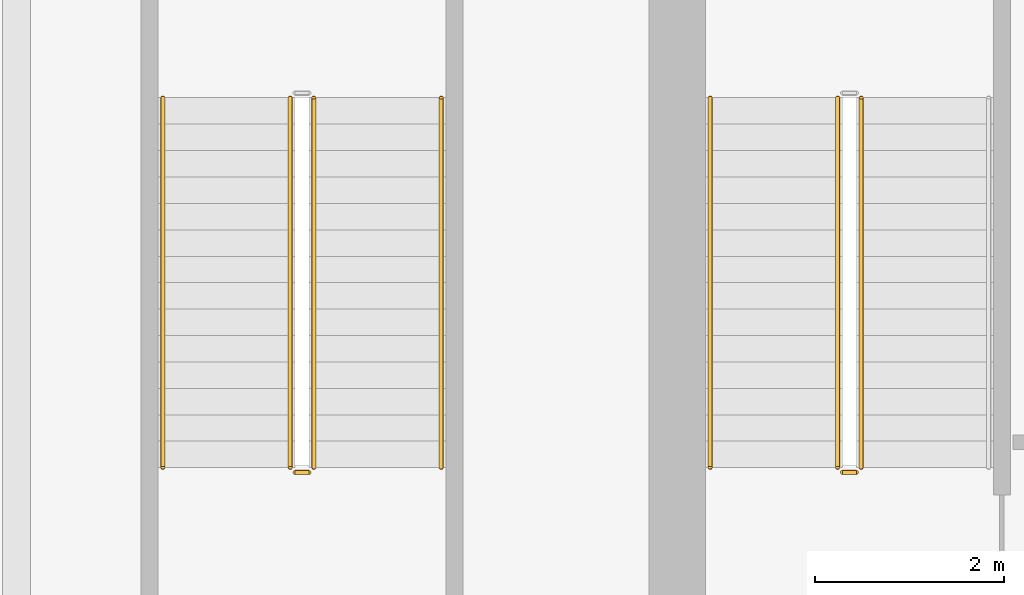
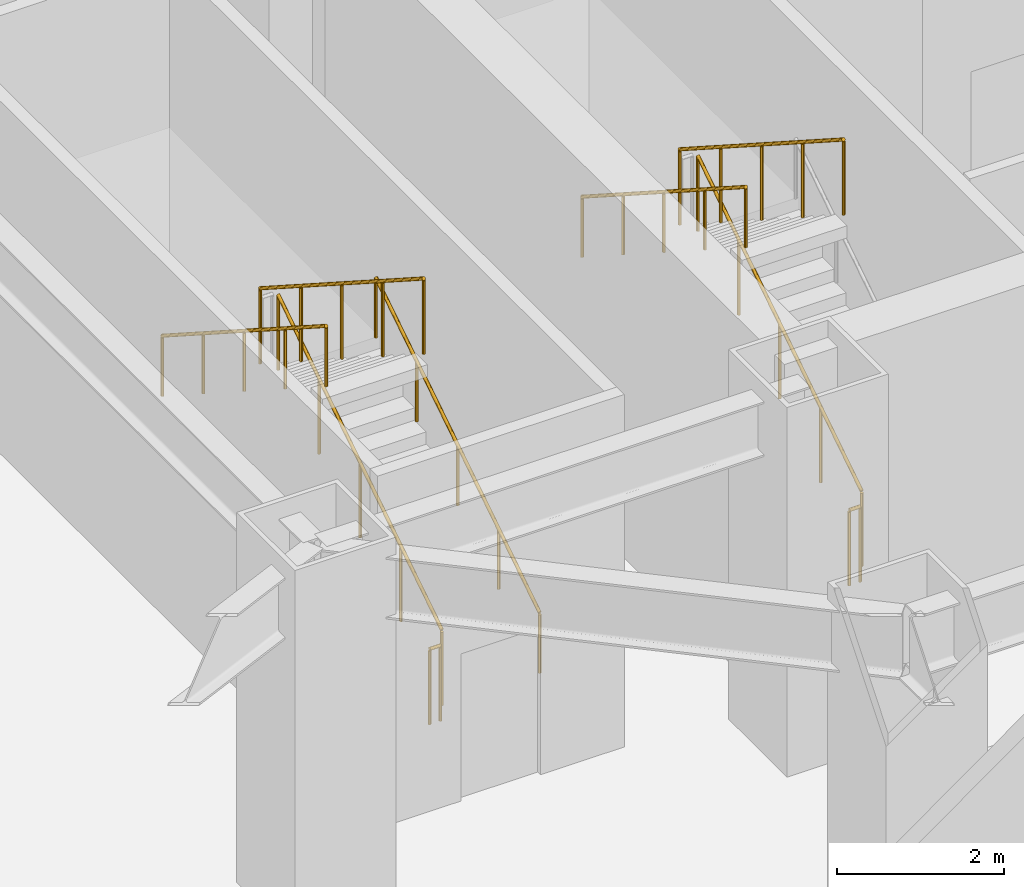
# One storey, part 49 of 53: 9 railings.
"""IFC4 building model written with IfcOpenShell, lengths in metres."""

import ifcopenshell
import ifcopenshell.guid

model = None  # the IFC model being written
_history = None  # IfcOwnerHistory: only IFC2X3 demands one
_inside = {}  # id of a spatial element -> (the spatial element, [elements in it])
_under = {}  # id of a project, library or spatial element -> (it, [spatial elements below it])
_declared = {}  # id of a project -> (the project, [libraries it declares])
_typed = {}  # id of a type object -> (the type object, [elements of that type])
_made_of = {}  # id of a material, layer set ... -> (it, [elements and type objects made of it])


def new_model(schema):
    """Start an empty IFC model of exactly this schema.

    Asked for "IFC4X3", IfcOpenShell would pick the latest addendum, in which some entities
    have other attributes; the version numbers below select the first issue.
    IFC2X3 requires an IfcOwnerHistory on every rooted entity: one is made here for all.
    """
    global model, _history
    if schema == "IFC4X3":
        model = ifcopenshell.file(schema_version=(4, 3, 0, 0))
    else:
        model = ifcopenshell.file(schema=schema)
    _inside.clear()
    _under.clear()
    _declared.clear()
    _typed.clear()
    _made_of.clear()
    _history = None
    if model.schema == "IFC2X3":
        org = make("IfcOrganization", Name="unknown")
        user = make(
            "IfcPersonAndOrganization",
            ThePerson=make("IfcPerson", FamilyName="unknown"),
            TheOrganization=org,
        )
        app = make(
            "IfcApplication",
            ApplicationDeveloper=org,
            Version="unknown",
            ApplicationFullName="unknown",
            ApplicationIdentifier="unknown",
        )
        _history = make(
            "IfcOwnerHistory",
            OwningUser=user,
            OwningApplication=app,
            ChangeAction="ADDED",
            CreationDate=0,
        )
    return model


def make(cls, **values):
    """One entity of the class cls with the attributes given. An attribute that is None is left unset."""
    return model.create_entity(
        cls, **{name: value for name, value in values.items() if value is not None}
    )


def rooted(cls, **values):
    """An entity with a GlobalId (a new one), such as an element, a storey or a relation."""
    return make(cls, GlobalId=ifcopenshell.guid.new(), OwnerHistory=_history, **values)


def si_unit(unit_type, name, prefix=None):
    """IfcSIUnit, for example si_unit("LENGTHUNIT", "METRE", prefix="MILLI")."""
    return make("IfcSIUnit", UnitType=unit_type, Prefix=prefix, Name=name)


def assignment(units):
    """IfcUnitAssignment: the units of a project."""
    return None if units is None else make("IfcUnitAssignment", Units=units)


def point(xyz):
    """IfcCartesianPoint."""
    return None if xyz is None else make("IfcCartesianPoint", Coordinates=xyz)


def direction(xyz):
    """IfcDirection."""
    return None if xyz is None else make("IfcDirection", DirectionRatios=xyz)


def frame(location, z_axis=None, x_axis=None):
    """IfcAxis2Placement3D, a coordinate frame: its origin and axes. An axis left out is left unset."""
    return make(
        "IfcAxis2Placement3D",
        Location=point(location),
        Axis=direction(z_axis),
        RefDirection=direction(x_axis),
    )


def frame_2d(location, x_axis=None):
    """IfcAxis2Placement2D, a coordinate frame in the plane: its origin and x axis."""
    return make(
        "IfcAxis2Placement2D", Location=point(location), RefDirection=direction(x_axis)
    )


def origin():
    """The frame at (0, 0, 0) with its axes left unset."""
    return frame((0.0, 0.0, 0.0))


def origin_2d():
    """The frame at (0, 0) in the plane with its x axis left unset."""
    return frame_2d((0.0, 0.0))


def place(relative_to, where):
    """IfcLocalPlacement: puts the frame where relative to a parent placement (None: the world)."""
    return make(
        "IfcLocalPlacement", PlacementRelTo=relative_to, RelativePlacement=where
    )


def context(
    kind, dimensions, precision=None, world=None, true_north=None, identifier=None
):
    """IfcGeometricRepresentationContext, for example the 3D "Model" context."""
    return make(
        "IfcGeometricRepresentationContext",
        ContextIdentifier=identifier,
        ContextType=kind,
        CoordinateSpaceDimension=dimensions,
        Precision=precision,
        WorldCoordinateSystem=world,
        TrueNorth=true_north,
    )


def subcontext(parent, identifier, kind, view, scale=None):
    """IfcGeometricRepresentationSubContext, for example "Body" below "Model"."""
    return make(
        "IfcGeometricRepresentationSubContext",
        ContextIdentifier=identifier,
        ContextType=kind,
        ParentContext=parent,
        TargetScale=scale,
        TargetView=view,
    )


def project(units=None, contexts=None):
    """IfcProject with its units and contexts."""
    return rooted(
        "IfcProject",
        Name="project",
        RepresentationContexts=contexts,
        UnitsInContext=assignment(units),
    )


def spatial(cls, under=None, at=None, **own):
    """A site, building, storey or space (cls), placed at a placement, below another one or the project."""
    s = rooted(cls, ObjectPlacement=at, **own)
    if under is not None:
        _under.setdefault(under.id(), (under, []))[1].append(s)
    return s


def profile(cls, at=None, kind="AREA", **sizes):
    """A parametric profile (cls). Its sizes go by their IFC names, for example OverallWidth=200.0."""
    return make(cls, ProfileType=kind, Position=at, **sizes)


def circle(**sizes):
    """IfcCircleProfileDef."""
    return profile("IfcCircleProfileDef", **sizes)


def extrude(swept, where, along, depth):
    """IfcExtrudedAreaSolid: the profile swept, set in the frame where, extruded along a direction by depth."""
    return make(
        "IfcExtrudedAreaSolid",
        SweptArea=swept,
        Position=where,
        ExtrudedDirection=direction(along),
        Depth=depth,
    )


def shape(context_of_items, identifier, shape_type, items):
    """IfcShapeRepresentation: the items that make up one representation, for example the "Body"."""
    return make(
        "IfcShapeRepresentation",
        ContextOfItems=context_of_items,
        RepresentationIdentifier=identifier,
        RepresentationType=shape_type,
        Items=items,
    )


def material(Name=None, Category=None):
    """IfcMaterial."""
    return make("IfcMaterial", Name=Name, Category=Category)


def made_of(thing, what):
    """Note that an element or type object is made of a material, layer set ...; save() writes the relation."""
    if what is not None:
        _made_of.setdefault(what.id(), (what, []))[1].append(thing)
    return thing


def type_object(cls, material=None, **own):
    """A type object (cls), such as IfcWallType, which elements share."""
    return made_of(rooted(cls, **own), material)


def element(
    cls,
    number,
    at=None,
    inside=None,
    cuts=None,
    type_object=None,
    material=None,
    context=None,
    identifier="Body",
    shape_type=None,
    held_by="IfcProductDefinitionShape",
    body=None,
    shapes=None,
    **own,
):
    """One element of the class cls, such as IfcWall. Its Tag is "e" and its number.

    at: its placement. inside: the storey or other place that contains it. cuts: it is an
    opening in that element (IfcRelVoidsElement). A single representation is given by context,
    identifier, shape_type and body (its items); several are given by shapes. held_by: the class
    of the entity that holds the representations. save() writes the other relations.
    """
    e = rooted(cls, Tag="e%d" % number, ObjectPlacement=at, **own)
    if body is not None:
        shapes = [shape(context, identifier, shape_type, body)]
    if shapes is not None:
        e.Representation = make(held_by, Representations=shapes)
    if inside is not None:
        _inside.setdefault(inside.id(), (inside, []))[1].append(e)
    if cuts is not None:
        rooted(
            "IfcRelVoidsElement", RelatingBuildingElement=cuts, RelatedOpeningElement=e
        )
    if type_object is not None:
        _typed.setdefault(type_object.id(), (type_object, []))[1].append(e)
    return made_of(e, material)


def aggregate(whole, parts):
    """IfcRelAggregates: a whole, such as a stair, and the parts it consists of."""
    return rooted("IfcRelAggregates", RelatingObject=whole, RelatedObjects=parts)


def save(model, path):
    """Write the relations noted so far, then the file.

    IfcRelAggregates (storeys below a building ...), IfcRelContainedInSpatialStructure (elements
    in a storey), IfcRelDefinesByType, IfcRelAssociatesMaterial and IfcRelDeclares: one each for
    every whole, place, type object, material and project.
    """
    for whole, parts in _under.values():
        aggregate(whole, parts)
    for where, things in _inside.values():
        rooted(
            "IfcRelContainedInSpatialStructure",
            RelatedElements=things,
            RelatingStructure=where,
        )
    for kind, things in _typed.values():
        rooted("IfcRelDefinesByType", RelatedObjects=things, RelatingType=kind)
    for what, things in _made_of.values():
        rooted("IfcRelAssociatesMaterial", RelatedObjects=things, RelatingMaterial=what)
    for by, libraries in _declared.values():
        rooted("IfcRelDeclares", RelatingContext=by, RelatedDefinitions=libraries)
    model.write(path)


model = new_model("IFC4")

# Units and contexts
model_context = context("Model", 3, precision=1e-05, world=origin(), true_north=direction((0.0, 1.0)))
body_context = subcontext(model_context, "Body", "Model", "MODEL_VIEW")
ifc_project = project(units=[si_unit("LENGTHUNIT", "METRE"), si_unit("AREAUNIT", "SQUARE_METRE"), si_unit("VOLUMEUNIT", "CUBIC_METRE"), si_unit("PLANEANGLEUNIT", "RADIAN"), si_unit("MASSUNIT", "GRAM", prefix="KILO")], contexts=[model_context])

# Site, building, storey
site_placement = place(None, origin())
site = spatial("IfcSite", under=ifc_project, at=site_placement, CompositionType="ELEMENT")
building_placement = place(site_placement, origin())
building = spatial("IfcBuilding", under=site, at=building_placement, Name="Saevonmaru Cultural Tower", CompositionType="ELEMENT")
storey_placement = place(building_placement, frame((0.0, 0.0, 22.199951171875)))
storey = spatial("IfcBuildingStorey", under=building, at=storey_placement, Name="L04", CompositionType="ELEMENT", Elevation=22.199951171875)

# Railings
ifc_material_1 = material(Name="Architectural Painted Steel", Category="steel")
railing_type_1 = type_object("IfcRailingType", Name="RL-STAIR-GUARD", PredefinedType="GUARDRAIL", material=ifc_material_1)
railing_1_placement = place(storey_placement, frame((15.75, 44.85009765625, 0.179931640625)))
element("IfcRailing", 1, at=railing_1_placement, inside=storey, type_object=railing_type_1, Name="L04 ST-1 stair guard 1", PredefinedType="GUARDRAIL", context=body_context, shape_type="SweptSolid", body=[
    extrude(circle(Radius=0.02392578125, at=origin_2d()), frame((0.0, 0.0, 1.09619140625), z_axis=(0.0, 0.841171666519, 0.540768182723), x_axis=(-1.0, 0.0, 0.0)), (0.0, 0.0, 1.0), 4.66015625),
    extrude(circle(Radius=0.02099609375, at=origin_2d()), origin(), (0.0, 0.0, 1.0), 1.072021484375),
    extrude(circle(Radius=0.02099609375, at=origin_2d()), frame((0.0, 0.97998046875, 0.6298828125)), (0.0, 0.0, 1.0), 1.072021484375),
    extrude(circle(Radius=0.02099609375, at=origin_2d()), frame((0.0, 1.9599609375, 1.260009765625)), (0.0, 0.0, 1.0), 1.072021484375),
    extrude(circle(Radius=0.02099609375, at=origin_2d()), frame((0.0, 2.93994140625, 1.89013671875)), (0.0, 0.0, 1.0), 1.072021484375),
    extrude(circle(Radius=0.02099609375, at=origin_2d()), frame((0.0, 3.919921875, 2.52001953125)), (0.0, 0.0, 1.0), 1.072021484375),
])
railing_2_placement = place(storey_placement, frame((15.5, 48.77001953125, 2.880126953125)))
element("IfcRailing", 2, at=railing_2_placement, inside=storey, type_object=railing_type_1, Name="L04 ST-1 stair guard 3", PredefinedType="GUARDRAIL", context=body_context, shape_type="SweptSolid", body=[
    extrude(circle(Radius=0.02392578125, at=origin_2d()), frame((0.0, 0.0, 1.09619140625), z_axis=(0.0, -0.841171666519, 0.540768182723), x_axis=(1.0, 0.0, 0.0)), (0.0, 0.0, 1.0), 4.66015625),
    extrude(circle(Radius=0.02099609375, at=origin_2d()), origin(), (0.0, 0.0, 1.0), 1.072021484375),
    extrude(circle(Radius=0.02099609375, at=origin_2d()), frame((0.0, -0.97998046875, 0.6298828125)), (0.0, 0.0, 1.0), 1.072021484375),
    extrude(circle(Radius=0.02099609375, at=origin_2d()), frame((0.0, -1.9599609375, 1.260009765625)), (0.0, 0.0, 1.0), 1.072021484375),
    extrude(circle(Radius=0.02099609375, at=origin_2d()), frame((0.0, -2.93994140625, 1.89013671875)), (0.0, 0.0, 1.0), 1.072021484375),
    extrude(circle(Radius=0.02099609375, at=origin_2d()), frame((0.0, -3.919921875, 2.52001953125)), (0.0, 0.0, 1.0), 1.072021484375),
])
railing_3_placement = place(storey_placement, frame((15.699951171875, 44.800048828125, 0.0)))
element("IfcRailing", 3, at=railing_3_placement, inside=storey, type_object=railing_type_1, Name="L04 ST-1 stair guard 4", PredefinedType="GUARDRAIL", context=body_context, shape_type="SweptSolid", body=[
    extrude(circle(Radius=0.02392578125, at=origin_2d()), frame((0.0, 0.0, 1.09619140625), z_axis=(-1.0, 0.0, 0.0), x_axis=(0.0, -1.0, 0.0)), (0.0, 0.0, 1.0), 0.14990234375),
    extrude(circle(Radius=0.02099609375, at=origin_2d()), origin(), (0.0, 0.0, 1.0), 1.072021484375),
    extrude(circle(Radius=0.02099609375, at=origin_2d()), frame((-0.14990234375, 0.0, 0.0)), (0.0, 0.0, 1.0), 1.072021484375),
])
railing_4_placement = place(storey_placement, frame((9.949951171875, 44.85009765625, 0.179931640625)))
element("IfcRailing", 4, at=railing_4_placement, inside=storey, type_object=railing_type_1, Name="L04 ST-3 stair guard 1", PredefinedType="GUARDRAIL", context=body_context, shape_type="SweptSolid", body=[
    extrude(circle(Radius=0.02392578125, at=origin_2d()), frame((0.0, 0.0, 1.09619140625), z_axis=(0.0, 0.841171666519, 0.540768182723), x_axis=(-1.0, 0.0, 0.0)), (0.0, 0.0, 1.0), 4.66015625),
    extrude(circle(Radius=0.02099609375, at=origin_2d()), origin(), (0.0, 0.0, 1.0), 1.072021484375),
    extrude(circle(Radius=0.02099609375, at=origin_2d()), frame((0.0, 0.97998046875, 0.6298828125)), (0.0, 0.0, 1.0), 1.072021484375),
    extrude(circle(Radius=0.02099609375, at=origin_2d()), frame((0.0, 1.9599609375, 1.260009765625)), (0.0, 0.0, 1.0), 1.072021484375),
    extrude(circle(Radius=0.02099609375, at=origin_2d()), frame((0.0, 2.93994140625, 1.89013671875)), (0.0, 0.0, 1.0), 1.072021484375),
    extrude(circle(Radius=0.02099609375, at=origin_2d()), frame((0.0, 3.919921875, 2.52001953125)), (0.0, 0.0, 1.0), 1.072021484375),
])
railing_5_placement = place(storey_placement, frame((9.699951171875, 48.77001953125, 2.880126953125)))
element("IfcRailing", 5, at=railing_5_placement, inside=storey, type_object=railing_type_1, Name="L04 ST-3 stair guard 3", PredefinedType="GUARDRAIL", context=body_context, shape_type="SweptSolid", body=[
    extrude(circle(Radius=0.02392578125, at=origin_2d()), frame((0.0, 0.0, 1.09619140625), z_axis=(0.0, -0.841171666519, 0.540768182723), x_axis=(1.0, 0.0, 0.0)), (0.0, 0.0, 1.0), 4.66015625),
    extrude(circle(Radius=0.02099609375, at=origin_2d()), origin(), (0.0, 0.0, 1.0), 1.072021484375),
    extrude(circle(Radius=0.02099609375, at=origin_2d()), frame((0.0, -0.97998046875, 0.6298828125)), (0.0, 0.0, 1.0), 1.072021484375),
    extrude(circle(Radius=0.02099609375, at=origin_2d()), frame((0.0, -1.9599609375, 1.260009765625)), (0.0, 0.0, 1.0), 1.072021484375),
    extrude(circle(Radius=0.02099609375, at=origin_2d()), frame((0.0, -2.93994140625, 1.89013671875)), (0.0, 0.0, 1.0), 1.072021484375),
    extrude(circle(Radius=0.02099609375, at=origin_2d()), frame((0.0, -3.919921875, 2.52001953125)), (0.0, 0.0, 1.0), 1.072021484375),
])
railing_6_placement = place(storey_placement, frame((9.89990234375, 44.800048828125, 0.0)))
element("IfcRailing", 6, at=railing_6_placement, inside=storey, type_object=railing_type_1, Name="L04 ST-3 stair guard 4", PredefinedType="GUARDRAIL", context=body_context, shape_type="SweptSolid", body=[
    extrude(circle(Radius=0.02392578125, at=origin_2d()), frame((0.0, 0.0, 1.09619140625), z_axis=(-1.0, 0.0, 0.0), x_axis=(0.0, -1.0, 0.0)), (0.0, 0.0, 1.0), 0.14990234375),
    extrude(circle(Radius=0.02099609375, at=origin_2d()), origin(), (0.0, 0.0, 1.0), 1.072021484375),
    extrude(circle(Radius=0.02099609375, at=origin_2d()), frame((-0.14990234375, 0.0, 0.0)), (0.0, 0.0, 1.0), 1.072021484375),
])
ifc_material_2 = material(Name="Satin Bronze Anodised Aluminium", Category="aluminium")
railing_type_2 = type_object("IfcRailingType", Name="RL-STAIR-HANDRAIL", PredefinedType="HANDRAIL", material=ifc_material_2)
railing_7_placement = place(storey_placement, frame((14.14990234375, 48.77001953125, 2.880126953125)))
element("IfcRailing", 7, at=railing_7_placement, inside=storey, type_object=railing_type_2, Name="L04 ST-1 stair handrail 2", PredefinedType="HANDRAIL", context=body_context, shape_type="SweptSolid", body=[
    extrude(circle(Radius=0.02392578125, at=origin_2d()), frame((0.0, 0.0, 0.8759765625), z_axis=(0.0, -0.841171666519, 0.540768182723), x_axis=(1.0, 0.0, 0.0)), (0.0, 0.0, 1.0), 4.66015625),
    extrude(circle(Radius=0.02099609375, at=origin_2d()), origin(), (0.0, 0.0, 1.0), 0.851806640625),
    extrude(circle(Radius=0.02099609375, at=origin_2d()), frame((0.0, -0.97998046875, 0.6298828125)), (0.0, 0.0, 1.0), 0.851806640625),
    extrude(circle(Radius=0.02099609375, at=origin_2d()), frame((0.0, -1.9599609375, 1.260009765625)), (0.0, 0.0, 1.0), 0.851806640625),
    extrude(circle(Radius=0.02099609375, at=origin_2d()), frame((0.0, -2.93994140625, 1.89013671875)), (0.0, 0.0, 1.0), 0.851806640625),
    extrude(circle(Radius=0.02099609375, at=origin_2d()), frame((0.0, -3.919921875, 2.52001953125)), (0.0, 0.0, 1.0), 0.851806640625),
])
railing_8_placement = place(storey_placement, frame((11.300048828125, 44.85009765625, 0.179931640625)))
element("IfcRailing", 8, at=railing_8_placement, inside=storey, type_object=railing_type_2, Name="L04 ST-3 stair handrail 1", PredefinedType="HANDRAIL", context=body_context, shape_type="SweptSolid", body=[
    extrude(circle(Radius=0.02392578125, at=origin_2d()), frame((0.0, 0.0, 0.8759765625), z_axis=(0.0, 0.841171666519, 0.540768182723), x_axis=(-1.0, 0.0, 0.0)), (0.0, 0.0, 1.0), 4.66015625),
    extrude(circle(Radius=0.02099609375, at=origin_2d()), origin(), (0.0, 0.0, 1.0), 0.851806640625),
    extrude(circle(Radius=0.02099609375, at=origin_2d()), frame((0.0, 0.97998046875, 0.6298828125)), (0.0, 0.0, 1.0), 0.851806640625),
    extrude(circle(Radius=0.02099609375, at=origin_2d()), frame((0.0, 1.9599609375, 1.260009765625)), (0.0, 0.0, 1.0), 0.851806640625),
    extrude(circle(Radius=0.02099609375, at=origin_2d()), frame((0.0, 2.93994140625, 1.89013671875)), (0.0, 0.0, 1.0), 0.851806640625),
    extrude(circle(Radius=0.02099609375, at=origin_2d()), frame((0.0, 3.919921875, 2.52001953125)), (0.0, 0.0, 1.0), 0.851806640625),
])
railing_9_placement = place(storey_placement, frame((8.35009765625, 48.77001953125, 2.880126953125)))
element("IfcRailing", 9, at=railing_9_placement, inside=storey, type_object=railing_type_2, Name="L04 ST-3 stair handrail 2", PredefinedType="HANDRAIL", context=body_context, shape_type="SweptSolid", body=[
    extrude(circle(Radius=0.02392578125, at=origin_2d()), frame((0.0, 0.0, 0.8759765625), z_axis=(0.0, -0.841171666519, 0.540768182723), x_axis=(1.0, 0.0, 0.0)), (0.0, 0.0, 1.0), 4.66015625),
    extrude(circle(Radius=0.02099609375, at=origin_2d()), origin(), (0.0, 0.0, 1.0), 0.851806640625),
    extrude(circle(Radius=0.02099609375, at=origin_2d()), frame((0.0, -0.97998046875, 0.6298828125)), (0.0, 0.0, 1.0), 0.851806640625),
    extrude(circle(Radius=0.02099609375, at=origin_2d()), frame((0.0, -1.9599609375, 1.260009765625)), (0.0, 0.0, 1.0), 0.851806640625),
    extrude(circle(Radius=0.02099609375, at=origin_2d()), frame((0.0, -2.93994140625, 1.89013671875)), (0.0, 0.0, 1.0), 0.851806640625),
    extrude(circle(Radius=0.02099609375, at=origin_2d()), frame((0.0, -3.919921875, 2.52001953125)), (0.0, 0.0, 1.0), 0.851806640625),
])

save(model, "model.ifc")
